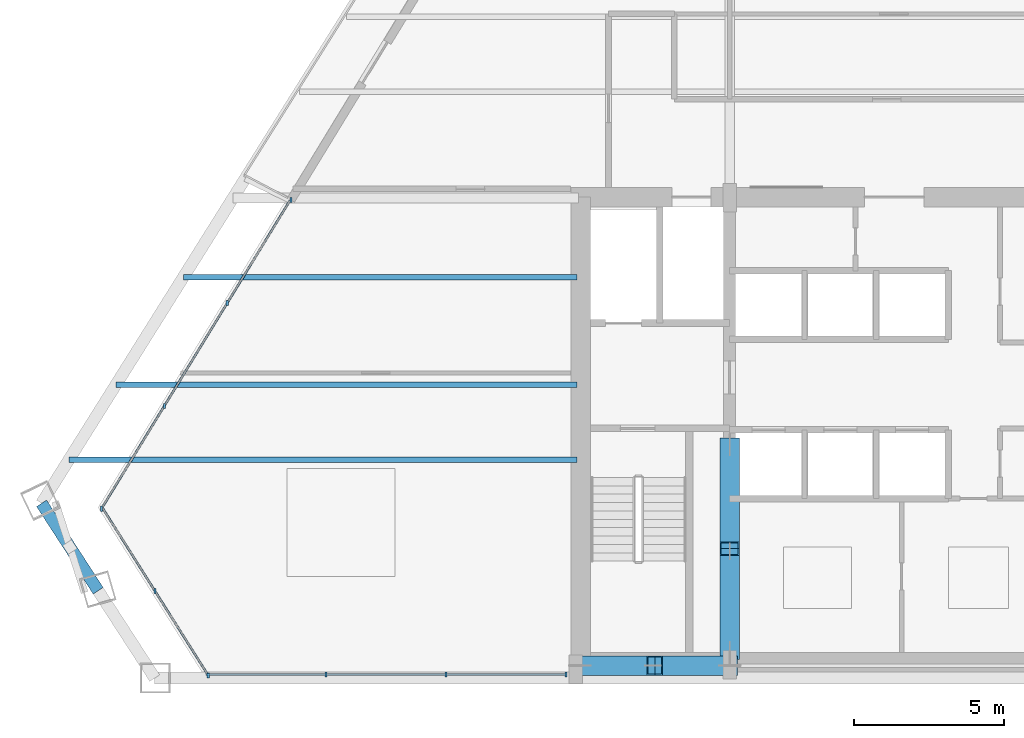
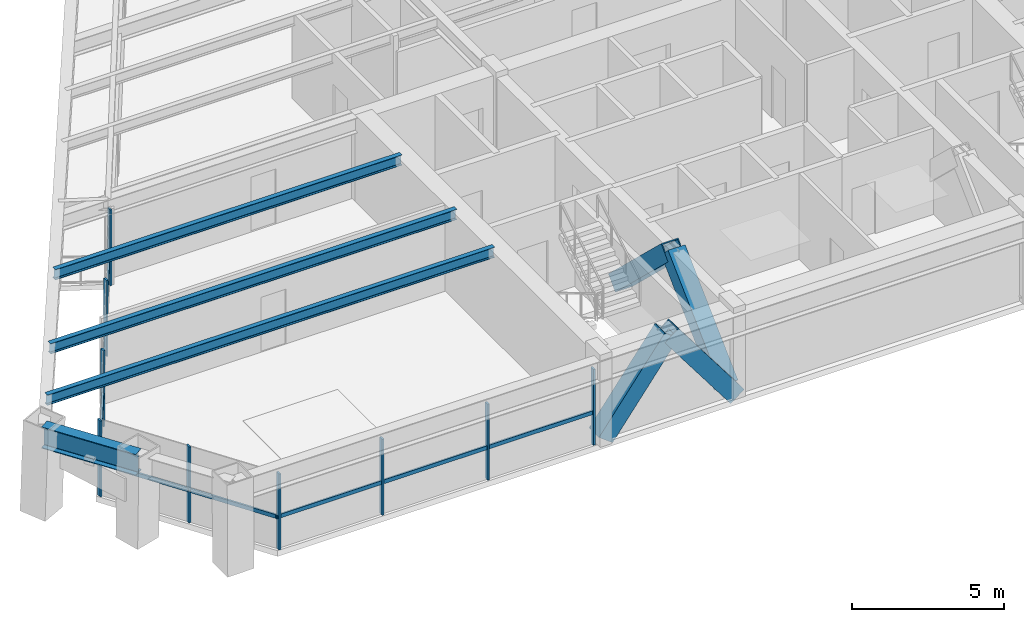
# One storey, part 2 of 13: 21 members, 4 beams, 3 elements without a shape of their own.
"""IFC4 building model written with IfcOpenShell, lengths in metres."""

from ifc_helpers import new_model, si_unit, direction, frame, origin, origin_2d, place, context, subcontext, project, spatial, rectangle, hollow_rectangle, i_section, extrude, source, transform, mapped, material, material_profile, profile_set, type_object, type_shapes, element, aggregate, save


model = new_model("IFC4")

# Units and contexts
model_context = context("Model", 3, precision=1e-05, world=origin(), true_north=direction((0.0, 1.0)))
body_context = subcontext(model_context, "Body", "Model", "MODEL_VIEW")
ifc_project = project(units=[si_unit("LENGTHUNIT", "METRE"), si_unit("AREAUNIT", "SQUARE_METRE"), si_unit("VOLUMEUNIT", "CUBIC_METRE"), si_unit("PLANEANGLEUNIT", "RADIAN"), si_unit("MASSUNIT", "GRAM", prefix="KILO")], contexts=[model_context])

# Site, building, storey
site_placement = place(None, origin())
site = spatial("IfcSite", under=ifc_project, at=site_placement, CompositionType="ELEMENT")
building_placement = place(site_placement, origin())
building = spatial("IfcBuilding", under=site, at=building_placement, Name="Varnakhor Terracotta Tower", CompositionType="ELEMENT")
storey_placement = place(building_placement, frame((0.0, 0.0, 200.60009765625)))
storey = spatial("IfcBuildingStorey", under=building, at=storey_placement, Name="L51", CompositionType="ELEMENT", Elevation=200.60009765625)

# Members
ifc_material_1 = material(Name="Steel S460", Category="steel")
ifc_material_profile_1 = material_profile(ifc_material_1, hollow_rectangle(XDim=0.64990234375, YDim=0.64990234375, WallThickness=0.0400390625, at=origin_2d()), Name="HSS650X650X40")
ifc_profile_set_1 = profile_set([ifc_material_profile_1], Name="Steel S460")
member_type_1 = type_object("IfcMemberType", Name="MBR-MEGA-650", PredefinedType="BRACE", material=ifc_profile_set_1)
shared_shape_1 = source(origin(), body_context, "Body", "SweptSolid", [
    extrude(hollow_rectangle(XDim=0.64990234375, YDim=0.64990234375, WallThickness=0.0400390625, at=origin_2d()), origin(), (0.0, 0.0, 1.0), 4.15576171875),
])
for number, where, z_axis, x_axis, name in (
    (1, (-10.5, 0.419921875, 0.0), (0.601559152872, 0.0, 0.798828257886), (0.0, 1.0, 0.0), "L51 Core Coupled Brace CSWA"),
    (2, (-5.5, 0.419921875, 0.0), (-0.601559152872, 0.0, 0.798828257886), (0.0, -1.0, 0.0), "L51 Core Coupled Brace CSWB"),
):
    element("IfcMember", number, at=place(storey_placement, frame(where, z_axis=z_axis, x_axis=x_axis)), inside=storey, type_object=member_type_1, Name=name, PredefinedType="BRACE", context=body_context, shape_type="MappedRepresentation", body=[
        mapped(shared_shape_1, transform((0.0, 0.0, 0.0), scale=1.0)),
    ])
shared_shape_2 = source(origin(), body_context, "Body", "SweptSolid", [
    extrude(hollow_rectangle(XDim=0.64990234375, YDim=0.64990234375, WallThickness=0.0400390625, at=origin_2d()), origin(), (0.0, 0.0, 1.0), 4.805908203125),
])
for number, where, z_axis, x_axis, name in (
    (3, (-5.5, 0.85009765625, 0.0), (0.0, 0.72305215055, 0.690793447845), (-1.0, 0.0, 0.0), "L51 Core Coupled Brace CWWA"),
    (4, (-5.5, 7.800048828125, 0.0), (0.0, -0.723076391278, 0.690768074231), (1.0, 0.0, 0.0), "L51 Core Coupled Brace CWWB"),
):
    element("IfcMember", number, at=place(storey_placement, frame(where, z_axis=z_axis, x_axis=x_axis)), inside=storey, type_object=member_type_1, Name=name, PredefinedType="BRACE", context=body_context, shape_type="MappedRepresentation", body=[
        mapped(shared_shape_2, transform((0.0, 0.0, 0.0), scale=1.0)),
    ])

# Beams
ifc_material_2 = material(Name="Steel S355", Category="steel")
ifc_material_profile_2 = material_profile(ifc_material_2, i_section(OverallWidth=0.39990234375, OverallDepth=0.85498046875, WebThickness=0.01806640625, FlangeThickness=0.029052734375, FilletRadius=0.01806640625, at=origin_2d()), Name="W33X201")
ifc_profile_set_2 = profile_set([ifc_material_profile_2], Name="Steel S355")
beam_type_1 = type_object("IfcBeamType", Name="BM-W33X201", PredefinedType="BEAM", material=ifc_profile_set_2)
shared_shape_3 = source(origin(), body_context, "Body", "SweptSolid", [
    extrude(i_section(OverallWidth=0.39990234375, OverallDepth=0.85498046875, WebThickness=0.01806640625, FlangeThickness=0.029052734375, FilletRadius=0.01806640625, at=origin_2d()), origin(), (0.0, 0.0, 1.0), 3.47998046875),
])
beam_1_placement = place(storey_placement, frame((-28.500244140625, 5.842529296875, 3.04248046875), z_axis=(0.543495602047, -0.839412014779, 0.0), x_axis=(0.839412014779, 0.543495602047, 0.0)))
element("IfcBeam", 5, at=beam_1_placement, inside=storey, type_object=beam_type_1, Name="L51 Perimeter Spandrel 7", PredefinedType="BEAM", context=body_context, shape_type="MappedRepresentation", body=[
    mapped(shared_shape_3, transform((0.0, 0.0, 0.0), scale=1.0)),
])
ifc_material_profile_3 = material_profile(ifc_material_2, i_section(OverallWidth=0.179931640625, OverallDepth=0.4130859375, WebThickness=0.009765625, FlangeThickness=0.01611328125, FilletRadius=0.01806640625, at=origin_2d()), Name="W16X50")
ifc_profile_set_3 = profile_set([ifc_material_profile_3], Name="Steel S355")
beam_type_2 = type_object("IfcBeamType", Name="JST-W16X50", PredefinedType="JOIST", material=ifc_profile_set_3)
shared_shape_4 = source(origin(), body_context, "Body", "SweptSolid", [
    extrude(i_section(OverallWidth=0.179931640625, OverallDepth=0.4130859375, WebThickness=0.009765625, FlangeThickness=0.01611328125, FilletRadius=0.01806640625, at=origin_2d()), origin(), (0.0, 0.0, 1.0), 16.986572265625),
])
beam_2_placement = place(storey_placement, frame((-27.586669921875, 7.300048828125, 3.263427734375), z_axis=(1.0, 0.0, 0.0), x_axis=(0.0, 1.0, 0.0)))
element("IfcBeam", 6, at=beam_2_placement, inside=storey, type_object=beam_type_2, Name="L51 Floor Joist W1", PredefinedType="JOIST", context=body_context, shape_type="MappedRepresentation", body=[
    mapped(shared_shape_4, transform((0.0, 0.0, 0.0), scale=1.0)),
])
shared_shape_5 = source(origin(), body_context, "Body", "SweptSolid", [
    extrude(i_section(OverallWidth=0.179931640625, OverallDepth=0.4130859375, WebThickness=0.009765625, FlangeThickness=0.01611328125, FilletRadius=0.01806640625, at=origin_2d()), origin(), (0.0, 0.0, 1.0), 15.41943359375),
])
beam_3_placement = place(storey_placement, frame((-26.01953125, 9.800048828125, 3.263427734375), z_axis=(1.0, 0.0, 0.0), x_axis=(0.0, 1.0, 0.0)))
element("IfcBeam", 7, at=beam_3_placement, inside=storey, type_object=beam_type_2, Name="L51 Floor Joist W2", PredefinedType="JOIST", context=body_context, shape_type="MappedRepresentation", body=[
    mapped(shared_shape_5, transform((0.0, 0.0, 0.0), scale=1.0)),
])
shared_shape_6 = source(origin(), body_context, "Body", "SweptSolid", [
    extrude(i_section(OverallWidth=0.179931640625, OverallDepth=0.4130859375, WebThickness=0.009765625, FlangeThickness=0.01611328125, FilletRadius=0.01806640625, at=origin_2d()), origin(), (0.0, 0.0, 1.0), 13.162841796875),
])
beam_4_placement = place(storey_placement, frame((-23.762939453125, 13.39990234375, 3.263427734375), z_axis=(1.0, 0.0, 0.0), x_axis=(0.0, 1.0, 0.0)))
element("IfcBeam", 8, at=beam_4_placement, inside=storey, type_object=beam_type_2, Name="L51 Floor Joist W3", PredefinedType="JOIST", context=body_context, shape_type="MappedRepresentation", body=[
    mapped(shared_shape_6, transform((0.0, 0.0, 0.0), scale=1.0)),
])

# Curtain wall, members
ifc_material_3 = material(Name="Anodised Aluminium Curtain Wall System", Category="aluminium")
curtain_wall_type = type_object("IfcCurtainWallType", Name="CW-SYS-MID-OFFICE", PredefinedType="NOTDEFINED", material=ifc_material_3)
curtain_wall_1_placement = place(storey_placement, origin())
curtain_wall_1 = element("IfcCurtainWall", 9, at=curtain_wall_1_placement, inside=storey, type_object=curtain_wall_type, Name="L51 W Facet Curtain Wall 1", PredefinedType="NOTDEFINED")
ifc_material_4 = material(Name="Anodised Aluminium 6063-T6", Category="aluminium")
ifc_material_profile_4 = material_profile(ifc_material_4, rectangle(XDim=0.070068359375, YDim=0.175048828125, at=origin_2d()), Name="ALU MULLION 70x175")
ifc_profile_set_4 = profile_set([ifc_material_profile_4], Name="Anodised Aluminium 6063-T6")
member_type_2 = type_object("IfcMemberType", Name="CWM-03", PredefinedType="MULLION", material=ifc_profile_set_4)
shared_shape_7 = source(origin(), body_context, "Body", "SweptSolid", [
    extrude(rectangle(XDim=0.070068359375, YDim=0.175048828125, at=origin_2d()), origin(), (0.0, 0.0, 1.0), 3.0498046875),
])
type_shapes(member_type_2, [shared_shape_7])
member_1_placement = place(storey_placement, frame((-26.495361328125, 5.664794921875, 0.0), z_axis=(0.0, 0.0, 1.0), x_axis=(1.0, 0.0, 0.0)))
member_1 = element("IfcMember", 10, at=member_1_placement, type_object=member_type_2, Name="L51 W Facet Curtain Wall 1 Mullion 1", PredefinedType="MULLION", context=body_context, shape_type="MappedRepresentation", body=[
    mapped(shared_shape_7, transform((0.0, 0.0, 0.0), scale=1.0)),
])
member_2_placement = place(storey_placement, frame((-24.395263671875, 9.099365234375, 0.0), z_axis=(0.0, 0.0, 1.0), x_axis=(1.0, 0.0, 0.0)))
member_2 = element("IfcMember", 11, at=member_2_placement, type_object=member_type_2, Name="L51 W Facet Curtain Wall 1 Mullion 2", PredefinedType="MULLION", context=body_context, shape_type="MappedRepresentation", body=[
    mapped(shared_shape_7, transform((0.0, 0.0, 0.0), scale=1.0)),
])
member_3_placement = place(storey_placement, frame((-22.29541015625, 12.5341796875, 0.0), z_axis=(0.0, 0.0, 1.0), x_axis=(1.0, 0.0, 0.0)))
member_3 = element("IfcMember", 12, at=member_3_placement, type_object=member_type_2, Name="L51 W Facet Curtain Wall 1 Mullion 3", PredefinedType="MULLION", context=body_context, shape_type="MappedRepresentation", body=[
    mapped(shared_shape_7, transform((0.0, 0.0, 0.0), scale=1.0)),
])
member_4_placement = place(storey_placement, frame((-20.16259765625, 15.984130859375, 0.0), z_axis=(0.0, 0.0, 1.0), x_axis=(1.0, 0.0, 0.0)))
member_4 = element("IfcMember", 13, at=member_4_placement, type_object=member_type_2, Name="L51 W Loggia Jamb Closure Mullion 1", PredefinedType="MULLION", context=body_context, shape_type="MappedRepresentation", body=[
    mapped(shared_shape_7, transform((0.0, 0.0, 0.0), scale=1.0)),
])

curtain_wall_2_placement = place(storey_placement, origin())
curtain_wall_2 = element("IfcCurtainWall", 14, at=curtain_wall_2_placement, inside=storey, type_object=curtain_wall_type, Name="L51 South Wing Curtain Wall SSW", PredefinedType="NOTDEFINED")
member_5_placement = place(storey_placement, frame((-10.969970703125, 0.1201171875, 0.0), z_axis=(0.0, 0.0, 1.0), x_axis=(1.0, 0.0, 0.0)))
member_5 = element("IfcMember", 15, at=member_5_placement, type_object=member_type_2, Name="L51 South Wing Curtain Wall SSW Mullion 1", PredefinedType="MULLION", context=body_context, shape_type="MappedRepresentation", body=[
    mapped(shared_shape_7, transform((0.0, 0.0, 0.0), scale=1.0)),
])
member_6_placement = place(storey_placement, frame((-14.981201171875, 0.1201171875, 0.0), z_axis=(0.0, 0.0, 1.0), x_axis=(1.0, 0.0, 0.0)))
member_6 = element("IfcMember", 16, at=member_6_placement, type_object=member_type_2, Name="L51 South Wing Curtain Wall SSW Mullion 2", PredefinedType="MULLION", context=body_context, shape_type="MappedRepresentation", body=[
    mapped(shared_shape_7, transform((0.0, 0.0, 0.0), scale=1.0)),
])
member_7_placement = place(storey_placement, frame((-18.9921875, 0.1201171875, 0.0), z_axis=(0.0, 0.0, 1.0), x_axis=(1.0, 0.0, 0.0)))
member_7 = element("IfcMember", 17, at=member_7_placement, type_object=member_type_2, Name="L51 South Wing Curtain Wall SSW Mullion 3", PredefinedType="MULLION", context=body_context, shape_type="MappedRepresentation", body=[
    mapped(shared_shape_7, transform((0.0, 0.0, 0.0), scale=1.0)),
])

curtain_wall_3_placement = place(storey_placement, origin())
curtain_wall_3 = element("IfcCurtainWall", 18, at=curtain_wall_3_placement, inside=storey, type_object=curtain_wall_type, Name="L51 Facet Curtain Wall 6", PredefinedType="NOTDEFINED")
member_8_placement = place(storey_placement, frame((-22.927734375, 0.08935546875, 0.0), z_axis=(0.0, 0.0, 1.0), x_axis=(1.0, 0.0, 0.0)))
member_8 = element("IfcMember", 19, at=member_8_placement, type_object=member_type_2, Name="L51 Facet Curtain Wall 6 Mullion 1", PredefinedType="MULLION", context=body_context, shape_type="MappedRepresentation", body=[
    mapped(shared_shape_7, transform((0.0, 0.0, 0.0), scale=1.0)),
])
member_9_placement = place(storey_placement, frame((-24.7119140625, 2.914794921875, 0.0), z_axis=(0.0, 0.0, 1.0), x_axis=(1.0, 0.0, 0.0)))
member_9 = element("IfcMember", 20, at=member_9_placement, type_object=member_type_2, Name="L51 Facet Curtain Wall 6 Mullion 2", PredefinedType="MULLION", context=body_context, shape_type="MappedRepresentation", body=[
    mapped(shared_shape_7, transform((0.0, 0.0, 0.0), scale=1.0)),
])

# Member
ifc_material_profile_5 = material_profile(ifc_material_4, rectangle(XDim=0.070068359375, YDim=0.155029296875, at=origin_2d()), Name="ALU TRANSOM 70x155")
ifc_profile_set_5 = profile_set([ifc_material_profile_5], Name="Anodised Aluminium 6063-T6")
member_type_3 = type_object("IfcMemberType", Name="CWT-03", PredefinedType="USERDEFINED", material=ifc_profile_set_5)
shared_shape_8 = source(origin(), body_context, "Body", "SweptSolid", [
    extrude(rectangle(XDim=0.070068359375, YDim=0.155029296875, at=origin_2d()), origin(), (0.0, 0.0, 1.0), 4.025634765625),
])
member_10_placement = place(storey_placement, frame((-26.495361328125, 5.664794921875, 1.281005859375), z_axis=(0.521665860706, 0.85314988705, 0.0), x_axis=(-0.85314988705, 0.521665860706, 0.0)))
member_10 = element("IfcMember", 21, at=member_10_placement, type_object=member_type_3, Name="L51 W Facet Curtain Wall 1 Transom 1", ObjectType="TRANSOM", PredefinedType="USERDEFINED", context=body_context, shape_type="MappedRepresentation", body=[
    mapped(shared_shape_8, transform((0.0, 0.0, 0.0), scale=1.0)),
])

shared_shape_9 = source(origin(), body_context, "Body", "SweptSolid", [
    extrude(rectangle(XDim=0.070068359375, YDim=0.155029296875, at=origin_2d()), origin(), (0.0, 0.0, 1.0), 4.02587890625),
])
member_11_placement = place(storey_placement, frame((-24.395263671875, 9.099365234375, 1.281005859375), z_axis=(0.521594728684, 0.853193377265, 0.0), x_axis=(-0.853193377265, 0.521594728684, 0.0)))
member_11 = element("IfcMember", 22, at=member_11_placement, type_object=member_type_3, Name="L51 W Facet Curtain Wall 1 Transom 2", ObjectType="TRANSOM", PredefinedType="USERDEFINED", context=body_context, shape_type="MappedRepresentation", body=[
    mapped(shared_shape_9, transform((0.0, 0.0, 0.0), scale=1.0)),
])

member_12_placement = place(storey_placement, frame((-22.29541015625, 12.5341796875, 1.281005859375), z_axis=(0.521638871353, 0.853166389336, 0.0), x_axis=(-0.853166389336, 0.521638871353, 0.0)))
member_12 = element("IfcMember", 23, at=member_12_placement, type_object=member_type_3, Name="L51 W Facet Curtain Wall 1 Transom 3", ObjectType="TRANSOM", PredefinedType="USERDEFINED", context=body_context, shape_type="MappedRepresentation", body=[
    mapped(shared_shape_9, transform((0.0, 0.0, 0.0), scale=1.0)),
])

aggregate(curtain_wall_1, [member_1, member_10, member_2, member_11, member_3, member_12, member_4])

shared_shape_10 = source(origin(), body_context, "Body", "SweptSolid", [
    extrude(rectangle(XDim=0.070068359375, YDim=0.155029296875, at=origin_2d()), origin(), (0.0, 0.0, 1.0), 4.01123046875),
])
member_13_placement = place(storey_placement, frame((-10.969970703125, 0.1201171875, 1.281005859375), z_axis=(-1.0, 0.0, 0.0), x_axis=(0.0, -1.0, 0.0)))
member_13 = element("IfcMember", 24, at=member_13_placement, type_object=member_type_3, Name="L51 South Wing Curtain Wall SSW Transom 1", ObjectType="TRANSOM", PredefinedType="USERDEFINED", context=body_context, shape_type="MappedRepresentation", body=[
    mapped(shared_shape_10, transform((0.0, 0.0, 0.0), scale=1.0)),
])

member_14_placement = place(storey_placement, frame((-18.9921875, 0.1201171875, 1.281005859375), z_axis=(-1.0, 0.0, 0.0), x_axis=(0.0, -1.0, 0.0)))
member_14 = element("IfcMember", 25, at=member_14_placement, type_object=member_type_3, Name="L51 South Wing Curtain Wall SSW Transom 3", ObjectType="TRANSOM", PredefinedType="USERDEFINED", context=body_context, shape_type="MappedRepresentation", body=[
    mapped(shared_shape_10, transform((0.0, 0.0, 0.0), scale=1.0)),
])

shared_shape_11 = source(origin(), body_context, "Body", "SweptSolid", [
    extrude(rectangle(XDim=0.070068359375, YDim=0.155029296875, at=origin_2d()), origin(), (0.0, 0.0, 1.0), 4.010986328125),
])
member_15_placement = place(storey_placement, frame((-14.981201171875, 0.1201171875, 1.281005859375), z_axis=(-1.0, 0.0, 0.0), x_axis=(0.0, -1.0, 0.0)))
member_15 = element("IfcMember", 26, at=member_15_placement, type_object=member_type_3, Name="L51 South Wing Curtain Wall SSW Transom 2", ObjectType="TRANSOM", PredefinedType="USERDEFINED", context=body_context, shape_type="MappedRepresentation", body=[
    mapped(shared_shape_11, transform((0.0, 0.0, 0.0), scale=1.0)),
])

aggregate(curtain_wall_2, [member_5, member_13, member_6, member_15, member_7, member_14])

shared_shape_12 = source(origin(), body_context, "Body", "SweptSolid", [
    extrude(rectangle(XDim=0.070068359375, YDim=0.155029296875, at=origin_2d()), origin(), (0.0, 0.0, 1.0), 3.341552734375),
])
member_16_placement = place(storey_placement, frame((-22.927734375, 0.08935546875, 1.281005859375), z_axis=(-0.533927018192, 0.845530566712, 0.0), x_axis=(-0.845530566712, -0.533927018192, 0.0)))
member_16 = element("IfcMember", 27, at=member_16_placement, type_object=member_type_3, Name="L51 Facet Curtain Wall 6 Transom 1", ObjectType="TRANSOM", PredefinedType="USERDEFINED", context=body_context, shape_type="MappedRepresentation", body=[
    mapped(shared_shape_12, transform((0.0, 0.0, 0.0), scale=1.0)),
])

shared_shape_13 = source(origin(), body_context, "Body", "SweptSolid", [
    extrude(rectangle(XDim=0.070068359375, YDim=0.155029296875, at=origin_2d()), origin(), (0.0, 0.0, 1.0), 3.341796875),
])
member_17_placement = place(storey_placement, frame((-24.7119140625, 2.914794921875, 1.281005859375), z_axis=(-0.533841801445, 0.845584372508, 0.0), x_axis=(-0.845584372508, -0.533841801445, 0.0)))
member_17 = element("IfcMember", 28, at=member_17_placement, type_object=member_type_3, Name="L51 Facet Curtain Wall 6 Transom 2", ObjectType="TRANSOM", PredefinedType="USERDEFINED", context=body_context, shape_type="MappedRepresentation", body=[
    mapped(shared_shape_13, transform((0.0, 0.0, 0.0), scale=1.0)),
])

aggregate(curtain_wall_3, [member_8, member_16, member_9, member_17])

save(model, "model.ifc")
